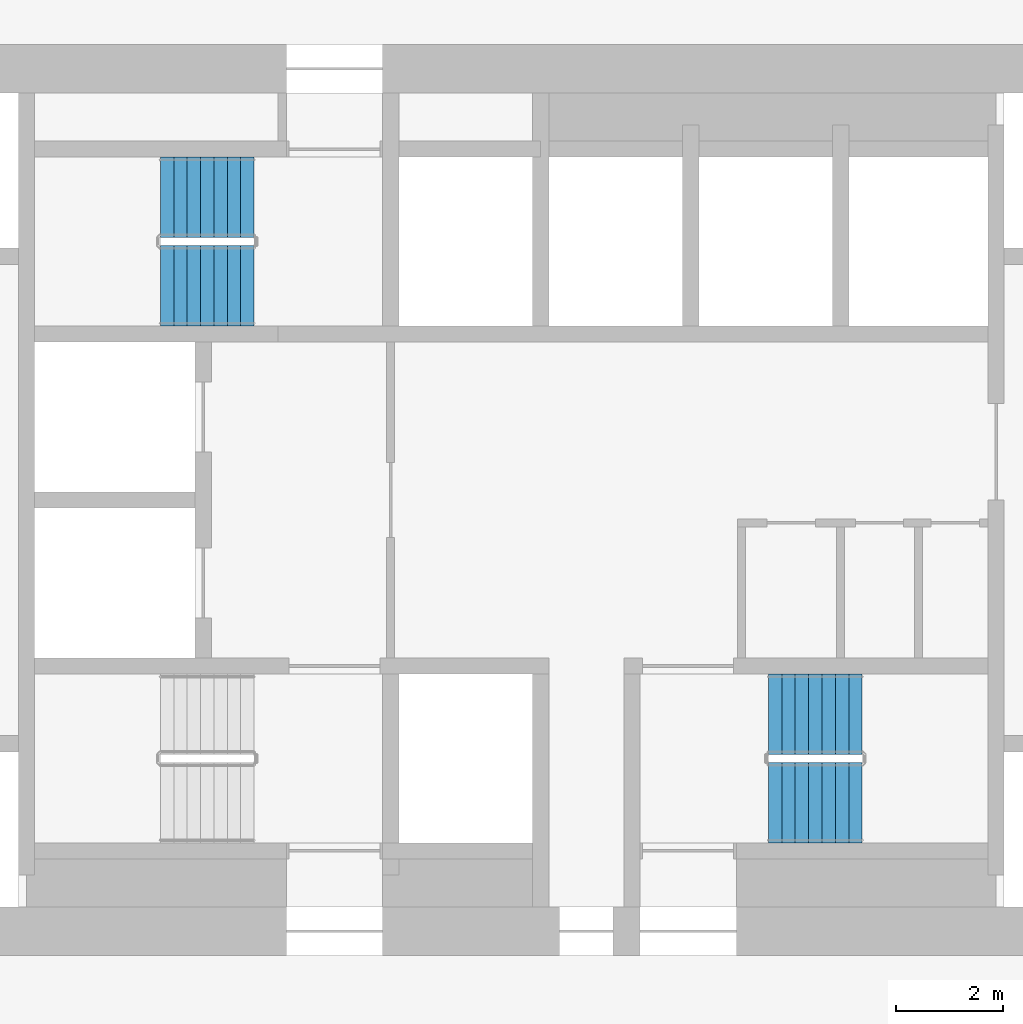
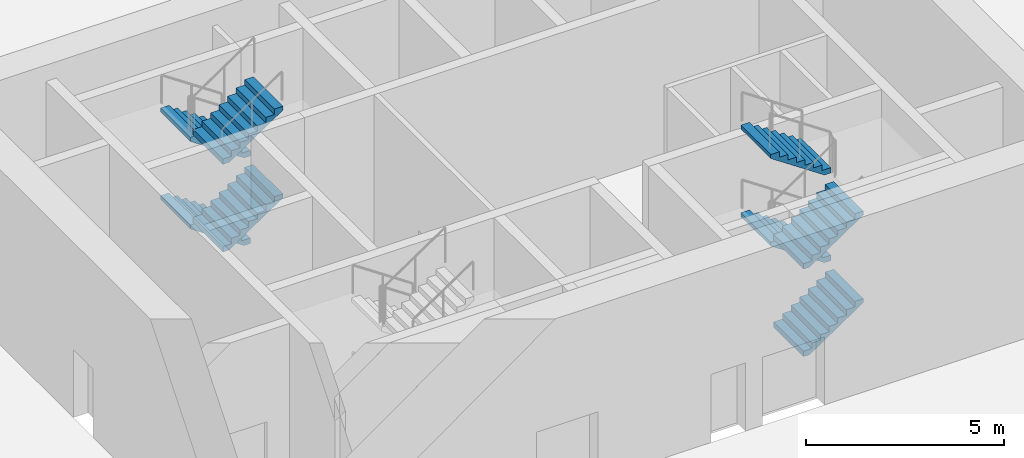
# One storey, part 20 of 21: 8 stair flights, 2 elements without a shape of their own.
"""IFC4 building model written with IfcOpenShell, lengths in metres."""

from ifc_helpers import new_model, si_unit, direction, frame, origin, place, context, subcontext, project, spatial, polyline, outline, extrude, material, type_object, element, aggregate, save


model = new_model("IFC4")

# Units and contexts
model_context = context("Model", 3, precision=1e-05, world=origin(), true_north=direction((0.0, 1.0)))
body_context = subcontext(model_context, "Body", "Model", "MODEL_VIEW")
ifc_project = project(units=[si_unit("LENGTHUNIT", "METRE"), si_unit("AREAUNIT", "SQUARE_METRE"), si_unit("VOLUMEUNIT", "CUBIC_METRE"), si_unit("PLANEANGLEUNIT", "RADIAN"), si_unit("MASSUNIT", "GRAM", prefix="KILO")], contexts=[model_context])

# Site, building, storey
site_placement = place(None, origin())
site = spatial("IfcSite", under=ifc_project, at=site_placement, CompositionType="ELEMENT")
building_placement = place(site_placement, origin())
building = spatial("IfcBuilding", under=site, at=building_placement, Name="Tracery Tower", CompositionType="ELEMENT")
storey_placement = place(building_placement, frame((0.0, 0.0, 219.60009765625)))
storey = spatial("IfcBuildingStorey", under=building, at=storey_placement, Name="L57", CompositionType="ELEMENT", Elevation=219.60009765625)

# Stair, stair flights
ifc_material_1 = material(Name="Concrete C32/40", Category="concrete")
stair_type = type_object("IfcStairType", Name="Core stair 32 risers", PredefinedType="HALF_TURN_STAIR", material=ifc_material_1)
stair_1_placement = place(storey_placement, origin())
stair_1 = element("IfcStair", 1, at=stair_1_placement, inside=storey, type_object=stair_type, Name="L57 stair ST3", PredefinedType="HALF_TURN_STAIR")
ifc_material_2 = material(Name="Concrete C32/40", Category="concrete")
stair_flight_type = type_object("IfcStairFlightType", Name="Core stair flight 8 risers", PredefinedType="STRAIGHT", material=ifc_material_2)
stair_flight_1_placement = place(storey_placement, frame((-4.800048828125, 5.64990234375, 0.0), z_axis=(0.0, 0.0, 1.0), x_axis=(-1.0, 0.0, 0.0)))
stair_flight_1 = element("IfcStairFlight", 2, at=stair_flight_1_placement, type_object=stair_flight_type, Name="ST3 flight 1", NumberOfRisers=8, NumberOfTreads=7, PredefinedType="STRAIGHT", RiserHeight=0.16875, TreadLength=0.25, context=body_context, shape_type="SweptSolid", body=[
    extrude(outline(polyline([(0.0, 0.0), (0.0, 0.002685546875), (0.0, 0.005615234375), (0.0, 0.00830078125), (0.0, 0.010986328125), (0.0, 0.013916015625), (0.0, 0.0166015625), (0.0, 0.019287109375), (0.0, 0.022216796875), (0.0, 0.02490234375), (0.0, 0.027587890625), (0.0, 0.030517578125), (0.0, 0.033203125), (0.0, 0.035888671875), (0.0, 0.038818359375), (0.0, 0.04150390625), (0.0, 0.044189453125), (0.0, 0.047119140625), (0.0, 0.0498046875), (0.0, 0.052490234375), (0.0, 0.055419921875), (0.0, 0.05810546875), (0.0, 0.060791015625), (0.0, 0.063720703125), (0.0, 0.06640625), (0.0, 0.069091796875), (0.0, 0.072021484375), (0.0, 0.07470703125), (0.0, 0.077392578125), (0.0, 0.080322265625), (0.0, 0.0830078125), (0.0, 0.085693359375), (0.0, 0.088623046875), (0.0, 0.09130859375), (0.0, 0.093994140625), (0.0, 0.096923828125), (0.0, 0.099609375), (0.0, 0.102294921875), (0.0, 0.105224609375), (0.0, 0.10791015625), (0.0, 0.110595703125), (0.0, 0.113525390625), (0.0, 0.1162109375), (0.0, 0.118896484375), (0.0, 0.121826171875), (0.0, 0.12451171875), (0.0, 0.127197265625), (0.0, 0.130126953125), (0.0, 0.1328125), (0.0, 0.135498046875), (0.0, 0.138427734375), (0.0, 0.14111328125), (0.0, 0.143798828125), (0.0, 0.146728515625), (0.0, 0.1494140625), (0.0, 0.152099609375), (0.0, 0.155029296875), (0.0, 0.15771484375), (0.0, 0.160400390625), (0.0, 0.163330078125), (0.0, 0.166015625), (0.0, 0.168701171875), (0.25, 0.168701171875), (0.25, 0.33740234375), (0.5, 0.33740234375), (0.5, 0.50634765625), (0.75, 0.50634765625), (0.75, 0.675048828125), (1.0, 0.675048828125), (1.0, 0.84375), (1.25, 0.84375), (1.25, 1.012451171875), (1.5, 1.012451171875), (1.5, 1.18115234375), (1.75, 1.18115234375), (1.75, 1.17919921875), (1.75, 1.17724609375), (1.75, 1.17529296875), (1.75, 1.17333984375), (1.75, 1.17138671875), (1.75, 1.16943359375), (1.75, 1.16748046875), (1.75, 1.16552734375), (1.75, 1.163330078125), (1.75, 1.161376953125), (1.75, 1.159423828125), (1.75, 1.157470703125), (1.75, 1.155517578125), (1.75, 1.153564453125), (1.75, 1.151611328125), (1.75, 1.149658203125), (1.75, 1.147705078125), (1.75, 1.1455078125), (1.75, 1.1435546875), (1.75, 1.1416015625), (1.75, 1.1396484375), (1.75, 1.1376953125), (1.75, 1.1357421875), (1.75, 1.1337890625), (1.75, 1.1318359375), (1.75, 1.1298828125), (1.75, 1.127685546875), (1.75, 1.125732421875), (1.75, 1.123779296875), (1.75, 1.121826171875), (1.75, 1.119873046875), (1.75, 1.117919921875), (1.75, 1.115966796875), (1.75, 1.114013671875), (1.75, 1.112060546875), (1.75, 1.10986328125), (1.75, 1.10791015625), (1.75, 1.10595703125), (1.75, 1.10400390625), (1.75, 1.10205078125), (1.75, 1.10009765625), (1.75, 1.09814453125), (1.75, 1.09619140625), (1.75, 1.09423828125), (1.75, 1.092041015625), (1.75, 1.090087890625), (1.75, 1.088134765625), (1.75, 1.086181640625), (1.75, 1.084228515625), (1.75, 1.082275390625), (1.75, 1.080322265625), (1.75, 1.078369140625), (1.75, 1.076416015625), (1.75, 1.074462890625), (1.75, 1.072265625), (1.75, 1.0703125), (1.75, 1.068359375), (1.75, 1.06640625), (1.75, 1.064453125), (1.75, 1.0625), (1.75, 1.060546875), (0.178955078125, 0.0), (0.0, 0.0)])), frame((0.0, 0.75, 0.0), z_axis=(0.0, -1.0, 0.0), x_axis=(1.0, 0.0, 0.0)), (0.0, 0.0, 1.0), 1.5),
])
stair_flight_2_placement = place(storey_placement, frame((-6.550048828125, 4.0, 1.349853515625), z_axis=(0.0, 0.0, 1.0), x_axis=(1.0, 0.0, 0.0)))
stair_flight_2 = element("IfcStairFlight", 3, at=stair_flight_2_placement, type_object=stair_flight_type, Name="ST3 flight 2", NumberOfRisers=8, NumberOfTreads=7, PredefinedType="STRAIGHT", RiserHeight=0.16875, TreadLength=0.25, context=body_context, shape_type="SweptSolid", body=[
    extrude(outline(polyline([(0.0, 0.0), (0.0, 0.002685546875), (0.0, 0.005615234375), (0.0, 0.00830078125), (0.0, 0.010986328125), (0.0, 0.013916015625), (0.0, 0.0166015625), (0.0, 0.019287109375), (0.0, 0.022216796875), (0.0, 0.02490234375), (0.0, 0.027587890625), (0.0, 0.030517578125), (0.0, 0.033203125), (0.0, 0.035888671875), (0.0, 0.038818359375), (0.0, 0.04150390625), (0.0, 0.044189453125), (0.0, 0.047119140625), (0.0, 0.0498046875), (0.0, 0.052490234375), (0.0, 0.055419921875), (0.0, 0.05810546875), (0.0, 0.060791015625), (0.0, 0.063720703125), (0.0, 0.06640625), (0.0, 0.069091796875), (0.0, 0.072021484375), (0.0, 0.07470703125), (0.0, 0.077392578125), (0.0, 0.080322265625), (0.0, 0.0830078125), (0.0, 0.085693359375), (0.0, 0.088623046875), (0.0, 0.09130859375), (0.0, 0.093994140625), (0.0, 0.096923828125), (0.0, 0.099609375), (0.0, 0.102294921875), (0.0, 0.105224609375), (0.0, 0.10791015625), (0.0, 0.110595703125), (0.0, 0.113525390625), (0.0, 0.1162109375), (0.0, 0.118896484375), (0.0, 0.121826171875), (0.0, 0.12451171875), (0.0, 0.127197265625), (0.0, 0.130126953125), (0.0, 0.1328125), (0.0, 0.135498046875), (0.0, 0.138427734375), (0.0, 0.14111328125), (0.0, 0.143798828125), (0.0, 0.146728515625), (0.0, 0.1494140625), (0.0, 0.152099609375), (0.0, 0.155029296875), (0.0, 0.15771484375), (0.0, 0.160400390625), (0.0, 0.163330078125), (0.0, 0.166015625), (0.0, 0.168701171875), (0.25, 0.168701171875), (0.25, 0.33740234375), (0.5, 0.33740234375), (0.5, 0.50634765625), (0.75, 0.50634765625), (0.75, 0.675048828125), (1.0, 0.675048828125), (1.0, 0.84375), (1.25, 0.84375), (1.25, 1.012451171875), (1.5, 1.012451171875), (1.5, 1.18115234375), (1.75, 1.18115234375), (1.75, 1.17919921875), (1.75, 1.17724609375), (1.75, 1.17529296875), (1.75, 1.17333984375), (1.75, 1.17138671875), (1.75, 1.16943359375), (1.75, 1.16748046875), (1.75, 1.16552734375), (1.75, 1.163330078125), (1.75, 1.161376953125), (1.75, 1.159423828125), (1.75, 1.157470703125), (1.75, 1.155517578125), (1.75, 1.153564453125), (1.75, 1.151611328125), (1.75, 1.149658203125), (1.75, 1.147705078125), (1.75, 1.1455078125), (1.75, 1.1435546875), (1.75, 1.1416015625), (1.75, 1.1396484375), (1.75, 1.1376953125), (1.75, 1.1357421875), (1.75, 1.1337890625), (1.75, 1.1318359375), (1.75, 1.1298828125), (1.75, 1.127685546875), (1.75, 1.125732421875), (1.75, 1.123779296875), (1.75, 1.121826171875), (1.75, 1.119873046875), (1.75, 1.117919921875), (1.75, 1.115966796875), (1.75, 1.114013671875), (1.75, 1.112060546875), (1.75, 1.10986328125), (1.75, 1.10791015625), (1.75, 1.10595703125), (1.75, 1.10400390625), (1.75, 1.10205078125), (1.75, 1.10009765625), (1.75, 1.09814453125), (1.75, 1.09619140625), (1.75, 1.09423828125), (1.75, 1.092041015625), (1.75, 1.090087890625), (1.75, 1.088134765625), (1.75, 1.086181640625), (1.75, 1.084228515625), (1.75, 1.082275390625), (1.75, 1.080322265625), (1.75, 1.078369140625), (1.75, 1.076416015625), (1.75, 1.074462890625), (1.75, 1.072265625), (1.75, 1.0703125), (1.75, 1.068359375), (1.75, 1.06640625), (1.75, 1.064453125), (1.75, 1.0625), (1.75, 1.060546875), (0.178955078125, 0.0), (0.0, 0.0)])), frame((0.0, 0.75, 0.0), z_axis=(0.0, -1.0, 0.0), x_axis=(1.0, 0.0, 0.0)), (0.0, 0.0, 1.0), 1.5),
])
stair_flight_3_placement = place(storey_placement, frame((-4.800048828125, 5.64990234375, 2.699951171875), z_axis=(0.0, 0.0, 1.0), x_axis=(-1.0, 0.0, 0.0)))
stair_flight_3 = element("IfcStairFlight", 4, at=stair_flight_3_placement, type_object=stair_flight_type, Name="ST3 flight 3", NumberOfRisers=8, NumberOfTreads=7, PredefinedType="STRAIGHT", RiserHeight=0.16875, TreadLength=0.25, context=body_context, shape_type="SweptSolid", body=[
    extrude(outline(polyline([(0.0, 0.0), (0.0, 0.002685546875), (0.0, 0.005615234375), (0.0, 0.00830078125), (0.0, 0.010986328125), (0.0, 0.013916015625), (0.0, 0.0166015625), (0.0, 0.019287109375), (0.0, 0.022216796875), (0.0, 0.02490234375), (0.0, 0.027587890625), (0.0, 0.030517578125), (0.0, 0.033203125), (0.0, 0.035888671875), (0.0, 0.038818359375), (0.0, 0.04150390625), (0.0, 0.044189453125), (0.0, 0.047119140625), (0.0, 0.0498046875), (0.0, 0.052490234375), (0.0, 0.055419921875), (0.0, 0.05810546875), (0.0, 0.060791015625), (0.0, 0.063720703125), (0.0, 0.06640625), (0.0, 0.069091796875), (0.0, 0.072021484375), (0.0, 0.07470703125), (0.0, 0.077392578125), (0.0, 0.080322265625), (0.0, 0.0830078125), (0.0, 0.085693359375), (0.0, 0.088623046875), (0.0, 0.09130859375), (0.0, 0.093994140625), (0.0, 0.096923828125), (0.0, 0.099609375), (0.0, 0.102294921875), (0.0, 0.105224609375), (0.0, 0.10791015625), (0.0, 0.110595703125), (0.0, 0.113525390625), (0.0, 0.1162109375), (0.0, 0.118896484375), (0.0, 0.121826171875), (0.0, 0.12451171875), (0.0, 0.127197265625), (0.0, 0.130126953125), (0.0, 0.1328125), (0.0, 0.135498046875), (0.0, 0.138427734375), (0.0, 0.14111328125), (0.0, 0.143798828125), (0.0, 0.146728515625), (0.0, 0.1494140625), (0.0, 0.152099609375), (0.0, 0.155029296875), (0.0, 0.15771484375), (0.0, 0.160400390625), (0.0, 0.163330078125), (0.0, 0.166015625), (0.0, 0.168701171875), (0.25, 0.168701171875), (0.25, 0.33740234375), (0.5, 0.33740234375), (0.5, 0.50634765625), (0.75, 0.50634765625), (0.75, 0.675048828125), (1.0, 0.675048828125), (1.0, 0.84375), (1.25, 0.84375), (1.25, 1.012451171875), (1.5, 1.012451171875), (1.5, 1.18115234375), (1.75, 1.18115234375), (1.75, 1.17919921875), (1.75, 1.17724609375), (1.75, 1.17529296875), (1.75, 1.17333984375), (1.75, 1.17138671875), (1.75, 1.16943359375), (1.75, 1.16748046875), (1.75, 1.16552734375), (1.75, 1.163330078125), (1.75, 1.161376953125), (1.75, 1.159423828125), (1.75, 1.157470703125), (1.75, 1.155517578125), (1.75, 1.153564453125), (1.75, 1.151611328125), (1.75, 1.149658203125), (1.75, 1.147705078125), (1.75, 1.1455078125), (1.75, 1.1435546875), (1.75, 1.1416015625), (1.75, 1.1396484375), (1.75, 1.1376953125), (1.75, 1.1357421875), (1.75, 1.1337890625), (1.75, 1.1318359375), (1.75, 1.1298828125), (1.75, 1.127685546875), (1.75, 1.125732421875), (1.75, 1.123779296875), (1.75, 1.121826171875), (1.75, 1.119873046875), (1.75, 1.117919921875), (1.75, 1.115966796875), (1.75, 1.114013671875), (1.75, 1.112060546875), (1.75, 1.10986328125), (1.75, 1.10791015625), (1.75, 1.10595703125), (1.75, 1.10400390625), (1.75, 1.10205078125), (1.75, 1.10009765625), (1.75, 1.09814453125), (1.75, 1.09619140625), (1.75, 1.09423828125), (1.75, 1.092041015625), (1.75, 1.090087890625), (1.75, 1.088134765625), (1.75, 1.086181640625), (1.75, 1.084228515625), (1.75, 1.082275390625), (1.75, 1.080322265625), (1.75, 1.078369140625), (1.75, 1.076416015625), (1.75, 1.074462890625), (1.75, 1.072265625), (1.75, 1.0703125), (1.75, 1.068359375), (1.75, 1.06640625), (1.75, 1.064453125), (1.75, 1.0625), (1.75, 1.060546875), (0.178955078125, 0.0), (0.0, 0.0)])), frame((0.0, 0.75, 0.0), z_axis=(0.0, -1.0, 0.0), x_axis=(1.0, 0.0, 0.0)), (0.0, 0.0, 1.0), 1.5),
])
stair_flight_4_placement = place(storey_placement, frame((-6.550048828125, 4.0, 4.0498046875), z_axis=(0.0, 0.0, 1.0), x_axis=(1.0, 0.0, 0.0)))
stair_flight_4 = element("IfcStairFlight", 5, at=stair_flight_4_placement, type_object=stair_flight_type, Name="ST3 flight 4", NumberOfRisers=8, NumberOfTreads=7, PredefinedType="STRAIGHT", RiserHeight=0.16875, TreadLength=0.25, context=body_context, shape_type="SweptSolid", body=[
    extrude(outline(polyline([(0.0, 0.0), (0.0, 0.002685546875), (0.0, 0.005615234375), (0.0, 0.00830078125), (0.0, 0.010986328125), (0.0, 0.013916015625), (0.0, 0.0166015625), (0.0, 0.019287109375), (0.0, 0.022216796875), (0.0, 0.02490234375), (0.0, 0.027587890625), (0.0, 0.030517578125), (0.0, 0.033203125), (0.0, 0.035888671875), (0.0, 0.038818359375), (0.0, 0.04150390625), (0.0, 0.044189453125), (0.0, 0.047119140625), (0.0, 0.0498046875), (0.0, 0.052490234375), (0.0, 0.055419921875), (0.0, 0.05810546875), (0.0, 0.060791015625), (0.0, 0.063720703125), (0.0, 0.06640625), (0.0, 0.069091796875), (0.0, 0.072021484375), (0.0, 0.07470703125), (0.0, 0.077392578125), (0.0, 0.080322265625), (0.0, 0.0830078125), (0.0, 0.085693359375), (0.0, 0.088623046875), (0.0, 0.09130859375), (0.0, 0.093994140625), (0.0, 0.096923828125), (0.0, 0.099609375), (0.0, 0.102294921875), (0.0, 0.105224609375), (0.0, 0.10791015625), (0.0, 0.110595703125), (0.0, 0.113525390625), (0.0, 0.1162109375), (0.0, 0.118896484375), (0.0, 0.121826171875), (0.0, 0.12451171875), (0.0, 0.127197265625), (0.0, 0.130126953125), (0.0, 0.1328125), (0.0, 0.135498046875), (0.0, 0.138427734375), (0.0, 0.14111328125), (0.0, 0.143798828125), (0.0, 0.146728515625), (0.0, 0.1494140625), (0.0, 0.152099609375), (0.0, 0.155029296875), (0.0, 0.15771484375), (0.0, 0.160400390625), (0.0, 0.163330078125), (0.0, 0.166015625), (0.0, 0.168701171875), (0.25, 0.168701171875), (0.25, 0.33740234375), (0.5, 0.33740234375), (0.5, 0.50634765625), (0.75, 0.50634765625), (0.75, 0.675048828125), (1.0, 0.675048828125), (1.0, 0.84375), (1.25, 0.84375), (1.25, 1.012451171875), (1.5, 1.012451171875), (1.5, 1.18115234375), (1.75, 1.18115234375), (1.75, 1.17919921875), (1.75, 1.17724609375), (1.75, 1.17529296875), (1.75, 1.17333984375), (1.75, 1.17138671875), (1.75, 1.16943359375), (1.75, 1.16748046875), (1.75, 1.16552734375), (1.75, 1.163330078125), (1.75, 1.161376953125), (1.75, 1.159423828125), (1.75, 1.157470703125), (1.75, 1.155517578125), (1.75, 1.153564453125), (1.75, 1.151611328125), (1.75, 1.149658203125), (1.75, 1.147705078125), (1.75, 1.1455078125), (1.75, 1.1435546875), (1.75, 1.1416015625), (1.75, 1.1396484375), (1.75, 1.1376953125), (1.75, 1.1357421875), (1.75, 1.1337890625), (1.75, 1.1318359375), (1.75, 1.1298828125), (1.75, 1.127685546875), (1.75, 1.125732421875), (1.75, 1.123779296875), (1.75, 1.121826171875), (1.75, 1.119873046875), (1.75, 1.117919921875), (1.75, 1.115966796875), (1.75, 1.114013671875), (1.75, 1.112060546875), (1.75, 1.10986328125), (1.75, 1.10791015625), (1.75, 1.10595703125), (1.75, 1.10400390625), (1.75, 1.10205078125), (1.75, 1.10009765625), (1.75, 1.09814453125), (1.75, 1.09619140625), (1.75, 1.09423828125), (1.75, 1.092041015625), (1.75, 1.090087890625), (1.75, 1.088134765625), (1.75, 1.086181640625), (1.75, 1.084228515625), (1.75, 1.082275390625), (1.75, 1.080322265625), (1.75, 1.078369140625), (1.75, 1.076416015625), (1.75, 1.074462890625), (1.75, 1.072265625), (1.75, 1.0703125), (1.75, 1.068359375), (1.75, 1.06640625), (1.75, 1.064453125), (1.75, 1.0625), (1.75, 1.060546875), (0.178955078125, 0.0), (0.0, 0.0)])), frame((0.0, 0.75, 0.0), z_axis=(0.0, -1.0, 0.0), x_axis=(1.0, 0.0, 0.0)), (0.0, 0.0, 1.0), 1.5),
])
aggregate(stair_1, [stair_flight_1, stair_flight_2, stair_flight_3, stair_flight_4])

stair_2_placement = place(storey_placement, origin())
stair_2 = element("IfcStair", 6, at=stair_2_placement, inside=storey, type_object=stair_type, Name="L57 stair ST2", PredefinedType="HALF_TURN_STAIR")
stair_flight_5_placement = place(storey_placement, frame((4.800048828125, -5.64990234375, 0.0), z_axis=(0.0, 0.0, 1.0), x_axis=(1.0, 0.0, 0.0)))
stair_flight_5 = element("IfcStairFlight", 7, at=stair_flight_5_placement, type_object=stair_flight_type, Name="ST2 flight 1", NumberOfRisers=8, NumberOfTreads=7, PredefinedType="STRAIGHT", RiserHeight=0.16875, TreadLength=0.25, context=body_context, shape_type="SweptSolid", body=[
    extrude(outline(polyline([(0.0, 0.0), (0.0, 0.002685546875), (0.0, 0.005615234375), (0.0, 0.00830078125), (0.0, 0.010986328125), (0.0, 0.013916015625), (0.0, 0.0166015625), (0.0, 0.019287109375), (0.0, 0.022216796875), (0.0, 0.02490234375), (0.0, 0.027587890625), (0.0, 0.030517578125), (0.0, 0.033203125), (0.0, 0.035888671875), (0.0, 0.038818359375), (0.0, 0.04150390625), (0.0, 0.044189453125), (0.0, 0.047119140625), (0.0, 0.0498046875), (0.0, 0.052490234375), (0.0, 0.055419921875), (0.0, 0.05810546875), (0.0, 0.060791015625), (0.0, 0.063720703125), (0.0, 0.06640625), (0.0, 0.069091796875), (0.0, 0.072021484375), (0.0, 0.07470703125), (0.0, 0.077392578125), (0.0, 0.080322265625), (0.0, 0.0830078125), (0.0, 0.085693359375), (0.0, 0.088623046875), (0.0, 0.09130859375), (0.0, 0.093994140625), (0.0, 0.096923828125), (0.0, 0.099609375), (0.0, 0.102294921875), (0.0, 0.105224609375), (0.0, 0.10791015625), (0.0, 0.110595703125), (0.0, 0.113525390625), (0.0, 0.1162109375), (0.0, 0.118896484375), (0.0, 0.121826171875), (0.0, 0.12451171875), (0.0, 0.127197265625), (0.0, 0.130126953125), (0.0, 0.1328125), (0.0, 0.135498046875), (0.0, 0.138427734375), (0.0, 0.14111328125), (0.0, 0.143798828125), (0.0, 0.146728515625), (0.0, 0.1494140625), (0.0, 0.152099609375), (0.0, 0.155029296875), (0.0, 0.15771484375), (0.0, 0.160400390625), (0.0, 0.163330078125), (0.0, 0.166015625), (0.0, 0.168701171875), (0.25, 0.168701171875), (0.25, 0.33740234375), (0.5, 0.33740234375), (0.5, 0.50634765625), (0.75, 0.50634765625), (0.75, 0.675048828125), (1.0, 0.675048828125), (1.0, 0.84375), (1.25, 0.84375), (1.25, 1.012451171875), (1.5, 1.012451171875), (1.5, 1.18115234375), (1.75, 1.18115234375), (1.75, 1.17919921875), (1.75, 1.17724609375), (1.75, 1.17529296875), (1.75, 1.17333984375), (1.75, 1.17138671875), (1.75, 1.16943359375), (1.75, 1.16748046875), (1.75, 1.16552734375), (1.75, 1.163330078125), (1.75, 1.161376953125), (1.75, 1.159423828125), (1.75, 1.157470703125), (1.75, 1.155517578125), (1.75, 1.153564453125), (1.75, 1.151611328125), (1.75, 1.149658203125), (1.75, 1.147705078125), (1.75, 1.1455078125), (1.75, 1.1435546875), (1.75, 1.1416015625), (1.75, 1.1396484375), (1.75, 1.1376953125), (1.75, 1.1357421875), (1.75, 1.1337890625), (1.75, 1.1318359375), (1.75, 1.1298828125), (1.75, 1.127685546875), (1.75, 1.125732421875), (1.75, 1.123779296875), (1.75, 1.121826171875), (1.75, 1.119873046875), (1.75, 1.117919921875), (1.75, 1.115966796875), (1.75, 1.114013671875), (1.75, 1.112060546875), (1.75, 1.10986328125), (1.75, 1.10791015625), (1.75, 1.10595703125), (1.75, 1.10400390625), (1.75, 1.10205078125), (1.75, 1.10009765625), (1.75, 1.09814453125), (1.75, 1.09619140625), (1.75, 1.09423828125), (1.75, 1.092041015625), (1.75, 1.090087890625), (1.75, 1.088134765625), (1.75, 1.086181640625), (1.75, 1.084228515625), (1.75, 1.082275390625), (1.75, 1.080322265625), (1.75, 1.078369140625), (1.75, 1.076416015625), (1.75, 1.074462890625), (1.75, 1.072265625), (1.75, 1.0703125), (1.75, 1.068359375), (1.75, 1.06640625), (1.75, 1.064453125), (1.75, 1.0625), (1.75, 1.060546875), (0.178955078125, 0.0), (0.0, 0.0)])), frame((0.0, 0.75, 0.0), z_axis=(0.0, -1.0, 0.0), x_axis=(1.0, 0.0, 0.0)), (0.0, 0.0, 1.0), 1.5),
])
stair_flight_6_placement = place(storey_placement, frame((6.550048828125, -4.0, 1.349853515625), z_axis=(0.0, 0.0, 1.0), x_axis=(-1.0, 0.0, 0.0)))
stair_flight_6 = element("IfcStairFlight", 8, at=stair_flight_6_placement, type_object=stair_flight_type, Name="ST2 flight 2", NumberOfRisers=8, NumberOfTreads=7, PredefinedType="STRAIGHT", RiserHeight=0.16875, TreadLength=0.25, context=body_context, shape_type="SweptSolid", body=[
    extrude(outline(polyline([(0.0, 0.0), (0.0, 0.002685546875), (0.0, 0.005615234375), (0.0, 0.00830078125), (0.0, 0.010986328125), (0.0, 0.013916015625), (0.0, 0.0166015625), (0.0, 0.019287109375), (0.0, 0.022216796875), (0.0, 0.02490234375), (0.0, 0.027587890625), (0.0, 0.030517578125), (0.0, 0.033203125), (0.0, 0.035888671875), (0.0, 0.038818359375), (0.0, 0.04150390625), (0.0, 0.044189453125), (0.0, 0.047119140625), (0.0, 0.0498046875), (0.0, 0.052490234375), (0.0, 0.055419921875), (0.0, 0.05810546875), (0.0, 0.060791015625), (0.0, 0.063720703125), (0.0, 0.06640625), (0.0, 0.069091796875), (0.0, 0.072021484375), (0.0, 0.07470703125), (0.0, 0.077392578125), (0.0, 0.080322265625), (0.0, 0.0830078125), (0.0, 0.085693359375), (0.0, 0.088623046875), (0.0, 0.09130859375), (0.0, 0.093994140625), (0.0, 0.096923828125), (0.0, 0.099609375), (0.0, 0.102294921875), (0.0, 0.105224609375), (0.0, 0.10791015625), (0.0, 0.110595703125), (0.0, 0.113525390625), (0.0, 0.1162109375), (0.0, 0.118896484375), (0.0, 0.121826171875), (0.0, 0.12451171875), (0.0, 0.127197265625), (0.0, 0.130126953125), (0.0, 0.1328125), (0.0, 0.135498046875), (0.0, 0.138427734375), (0.0, 0.14111328125), (0.0, 0.143798828125), (0.0, 0.146728515625), (0.0, 0.1494140625), (0.0, 0.152099609375), (0.0, 0.155029296875), (0.0, 0.15771484375), (0.0, 0.160400390625), (0.0, 0.163330078125), (0.0, 0.166015625), (0.0, 0.168701171875), (0.25, 0.168701171875), (0.25, 0.33740234375), (0.5, 0.33740234375), (0.5, 0.50634765625), (0.75, 0.50634765625), (0.75, 0.675048828125), (1.0, 0.675048828125), (1.0, 0.84375), (1.25, 0.84375), (1.25, 1.012451171875), (1.5, 1.012451171875), (1.5, 1.18115234375), (1.75, 1.18115234375), (1.75, 1.17919921875), (1.75, 1.17724609375), (1.75, 1.17529296875), (1.75, 1.17333984375), (1.75, 1.17138671875), (1.75, 1.16943359375), (1.75, 1.16748046875), (1.75, 1.16552734375), (1.75, 1.163330078125), (1.75, 1.161376953125), (1.75, 1.159423828125), (1.75, 1.157470703125), (1.75, 1.155517578125), (1.75, 1.153564453125), (1.75, 1.151611328125), (1.75, 1.149658203125), (1.75, 1.147705078125), (1.75, 1.1455078125), (1.75, 1.1435546875), (1.75, 1.1416015625), (1.75, 1.1396484375), (1.75, 1.1376953125), (1.75, 1.1357421875), (1.75, 1.1337890625), (1.75, 1.1318359375), (1.75, 1.1298828125), (1.75, 1.127685546875), (1.75, 1.125732421875), (1.75, 1.123779296875), (1.75, 1.121826171875), (1.75, 1.119873046875), (1.75, 1.117919921875), (1.75, 1.115966796875), (1.75, 1.114013671875), (1.75, 1.112060546875), (1.75, 1.10986328125), (1.75, 1.10791015625), (1.75, 1.10595703125), (1.75, 1.10400390625), (1.75, 1.10205078125), (1.75, 1.10009765625), (1.75, 1.09814453125), (1.75, 1.09619140625), (1.75, 1.09423828125), (1.75, 1.092041015625), (1.75, 1.090087890625), (1.75, 1.088134765625), (1.75, 1.086181640625), (1.75, 1.084228515625), (1.75, 1.082275390625), (1.75, 1.080322265625), (1.75, 1.078369140625), (1.75, 1.076416015625), (1.75, 1.074462890625), (1.75, 1.072265625), (1.75, 1.0703125), (1.75, 1.068359375), (1.75, 1.06640625), (1.75, 1.064453125), (1.75, 1.0625), (1.75, 1.060546875), (0.178955078125, 0.0), (0.0, 0.0)])), frame((0.0, 0.75, 0.0), z_axis=(0.0, -1.0, 0.0), x_axis=(1.0, 0.0, 0.0)), (0.0, 0.0, 1.0), 1.5),
])
stair_flight_7_placement = place(storey_placement, frame((4.800048828125, -5.64990234375, 2.699951171875), z_axis=(0.0, 0.0, 1.0), x_axis=(1.0, 0.0, 0.0)))
stair_flight_7 = element("IfcStairFlight", 9, at=stair_flight_7_placement, type_object=stair_flight_type, Name="ST2 flight 3", NumberOfRisers=8, NumberOfTreads=7, PredefinedType="STRAIGHT", RiserHeight=0.16875, TreadLength=0.25, context=body_context, shape_type="SweptSolid", body=[
    extrude(outline(polyline([(0.0, 0.0), (0.0, 0.002685546875), (0.0, 0.005615234375), (0.0, 0.00830078125), (0.0, 0.010986328125), (0.0, 0.013916015625), (0.0, 0.0166015625), (0.0, 0.019287109375), (0.0, 0.022216796875), (0.0, 0.02490234375), (0.0, 0.027587890625), (0.0, 0.030517578125), (0.0, 0.033203125), (0.0, 0.035888671875), (0.0, 0.038818359375), (0.0, 0.04150390625), (0.0, 0.044189453125), (0.0, 0.047119140625), (0.0, 0.0498046875), (0.0, 0.052490234375), (0.0, 0.055419921875), (0.0, 0.05810546875), (0.0, 0.060791015625), (0.0, 0.063720703125), (0.0, 0.06640625), (0.0, 0.069091796875), (0.0, 0.072021484375), (0.0, 0.07470703125), (0.0, 0.077392578125), (0.0, 0.080322265625), (0.0, 0.0830078125), (0.0, 0.085693359375), (0.0, 0.088623046875), (0.0, 0.09130859375), (0.0, 0.093994140625), (0.0, 0.096923828125), (0.0, 0.099609375), (0.0, 0.102294921875), (0.0, 0.105224609375), (0.0, 0.10791015625), (0.0, 0.110595703125), (0.0, 0.113525390625), (0.0, 0.1162109375), (0.0, 0.118896484375), (0.0, 0.121826171875), (0.0, 0.12451171875), (0.0, 0.127197265625), (0.0, 0.130126953125), (0.0, 0.1328125), (0.0, 0.135498046875), (0.0, 0.138427734375), (0.0, 0.14111328125), (0.0, 0.143798828125), (0.0, 0.146728515625), (0.0, 0.1494140625), (0.0, 0.152099609375), (0.0, 0.155029296875), (0.0, 0.15771484375), (0.0, 0.160400390625), (0.0, 0.163330078125), (0.0, 0.166015625), (0.0, 0.168701171875), (0.25, 0.168701171875), (0.25, 0.33740234375), (0.5, 0.33740234375), (0.5, 0.50634765625), (0.75, 0.50634765625), (0.75, 0.675048828125), (1.0, 0.675048828125), (1.0, 0.84375), (1.25, 0.84375), (1.25, 1.012451171875), (1.5, 1.012451171875), (1.5, 1.18115234375), (1.75, 1.18115234375), (1.75, 1.17919921875), (1.75, 1.17724609375), (1.75, 1.17529296875), (1.75, 1.17333984375), (1.75, 1.17138671875), (1.75, 1.16943359375), (1.75, 1.16748046875), (1.75, 1.16552734375), (1.75, 1.163330078125), (1.75, 1.161376953125), (1.75, 1.159423828125), (1.75, 1.157470703125), (1.75, 1.155517578125), (1.75, 1.153564453125), (1.75, 1.151611328125), (1.75, 1.149658203125), (1.75, 1.147705078125), (1.75, 1.1455078125), (1.75, 1.1435546875), (1.75, 1.1416015625), (1.75, 1.1396484375), (1.75, 1.1376953125), (1.75, 1.1357421875), (1.75, 1.1337890625), (1.75, 1.1318359375), (1.75, 1.1298828125), (1.75, 1.127685546875), (1.75, 1.125732421875), (1.75, 1.123779296875), (1.75, 1.121826171875), (1.75, 1.119873046875), (1.75, 1.117919921875), (1.75, 1.115966796875), (1.75, 1.114013671875), (1.75, 1.112060546875), (1.75, 1.10986328125), (1.75, 1.10791015625), (1.75, 1.10595703125), (1.75, 1.10400390625), (1.75, 1.10205078125), (1.75, 1.10009765625), (1.75, 1.09814453125), (1.75, 1.09619140625), (1.75, 1.09423828125), (1.75, 1.092041015625), (1.75, 1.090087890625), (1.75, 1.088134765625), (1.75, 1.086181640625), (1.75, 1.084228515625), (1.75, 1.082275390625), (1.75, 1.080322265625), (1.75, 1.078369140625), (1.75, 1.076416015625), (1.75, 1.074462890625), (1.75, 1.072265625), (1.75, 1.0703125), (1.75, 1.068359375), (1.75, 1.06640625), (1.75, 1.064453125), (1.75, 1.0625), (1.75, 1.060546875), (0.178955078125, 0.0), (0.0, 0.0)])), frame((0.0, 0.75, 0.0), z_axis=(0.0, -1.0, 0.0), x_axis=(1.0, 0.0, 0.0)), (0.0, 0.0, 1.0), 1.5),
])
stair_flight_8_placement = place(storey_placement, frame((6.550048828125, -4.0, 4.0498046875), z_axis=(0.0, 0.0, 1.0), x_axis=(-1.0, 0.0, 0.0)))
stair_flight_8 = element("IfcStairFlight", 10, at=stair_flight_8_placement, type_object=stair_flight_type, Name="ST2 flight 4", NumberOfRisers=8, NumberOfTreads=7, PredefinedType="STRAIGHT", RiserHeight=0.16875, TreadLength=0.25, context=body_context, shape_type="SweptSolid", body=[
    extrude(outline(polyline([(0.0, 0.0), (0.0, 0.002685546875), (0.0, 0.005615234375), (0.0, 0.00830078125), (0.0, 0.010986328125), (0.0, 0.013916015625), (0.0, 0.0166015625), (0.0, 0.019287109375), (0.0, 0.022216796875), (0.0, 0.02490234375), (0.0, 0.027587890625), (0.0, 0.030517578125), (0.0, 0.033203125), (0.0, 0.035888671875), (0.0, 0.038818359375), (0.0, 0.04150390625), (0.0, 0.044189453125), (0.0, 0.047119140625), (0.0, 0.0498046875), (0.0, 0.052490234375), (0.0, 0.055419921875), (0.0, 0.05810546875), (0.0, 0.060791015625), (0.0, 0.063720703125), (0.0, 0.06640625), (0.0, 0.069091796875), (0.0, 0.072021484375), (0.0, 0.07470703125), (0.0, 0.077392578125), (0.0, 0.080322265625), (0.0, 0.0830078125), (0.0, 0.085693359375), (0.0, 0.088623046875), (0.0, 0.09130859375), (0.0, 0.093994140625), (0.0, 0.096923828125), (0.0, 0.099609375), (0.0, 0.102294921875), (0.0, 0.105224609375), (0.0, 0.10791015625), (0.0, 0.110595703125), (0.0, 0.113525390625), (0.0, 0.1162109375), (0.0, 0.118896484375), (0.0, 0.121826171875), (0.0, 0.12451171875), (0.0, 0.127197265625), (0.0, 0.130126953125), (0.0, 0.1328125), (0.0, 0.135498046875), (0.0, 0.138427734375), (0.0, 0.14111328125), (0.0, 0.143798828125), (0.0, 0.146728515625), (0.0, 0.1494140625), (0.0, 0.152099609375), (0.0, 0.155029296875), (0.0, 0.15771484375), (0.0, 0.160400390625), (0.0, 0.163330078125), (0.0, 0.166015625), (0.0, 0.168701171875), (0.25, 0.168701171875), (0.25, 0.33740234375), (0.5, 0.33740234375), (0.5, 0.50634765625), (0.75, 0.50634765625), (0.75, 0.675048828125), (1.0, 0.675048828125), (1.0, 0.84375), (1.25, 0.84375), (1.25, 1.012451171875), (1.5, 1.012451171875), (1.5, 1.18115234375), (1.75, 1.18115234375), (1.75, 1.17919921875), (1.75, 1.17724609375), (1.75, 1.17529296875), (1.75, 1.17333984375), (1.75, 1.17138671875), (1.75, 1.16943359375), (1.75, 1.16748046875), (1.75, 1.16552734375), (1.75, 1.163330078125), (1.75, 1.161376953125), (1.75, 1.159423828125), (1.75, 1.157470703125), (1.75, 1.155517578125), (1.75, 1.153564453125), (1.75, 1.151611328125), (1.75, 1.149658203125), (1.75, 1.147705078125), (1.75, 1.1455078125), (1.75, 1.1435546875), (1.75, 1.1416015625), (1.75, 1.1396484375), (1.75, 1.1376953125), (1.75, 1.1357421875), (1.75, 1.1337890625), (1.75, 1.1318359375), (1.75, 1.1298828125), (1.75, 1.127685546875), (1.75, 1.125732421875), (1.75, 1.123779296875), (1.75, 1.121826171875), (1.75, 1.119873046875), (1.75, 1.117919921875), (1.75, 1.115966796875), (1.75, 1.114013671875), (1.75, 1.112060546875), (1.75, 1.10986328125), (1.75, 1.10791015625), (1.75, 1.10595703125), (1.75, 1.10400390625), (1.75, 1.10205078125), (1.75, 1.10009765625), (1.75, 1.09814453125), (1.75, 1.09619140625), (1.75, 1.09423828125), (1.75, 1.092041015625), (1.75, 1.090087890625), (1.75, 1.088134765625), (1.75, 1.086181640625), (1.75, 1.084228515625), (1.75, 1.082275390625), (1.75, 1.080322265625), (1.75, 1.078369140625), (1.75, 1.076416015625), (1.75, 1.074462890625), (1.75, 1.072265625), (1.75, 1.0703125), (1.75, 1.068359375), (1.75, 1.06640625), (1.75, 1.064453125), (1.75, 1.0625), (1.75, 1.060546875), (0.178955078125, 0.0), (0.0, 0.0)])), frame((0.0, 0.75, 0.0), z_axis=(0.0, -1.0, 0.0), x_axis=(1.0, 0.0, 0.0)), (0.0, 0.0, 1.0), 1.5),
])
aggregate(stair_2, [stair_flight_5, stair_flight_6, stair_flight_7, stair_flight_8])

save(model, "model.ifc")
